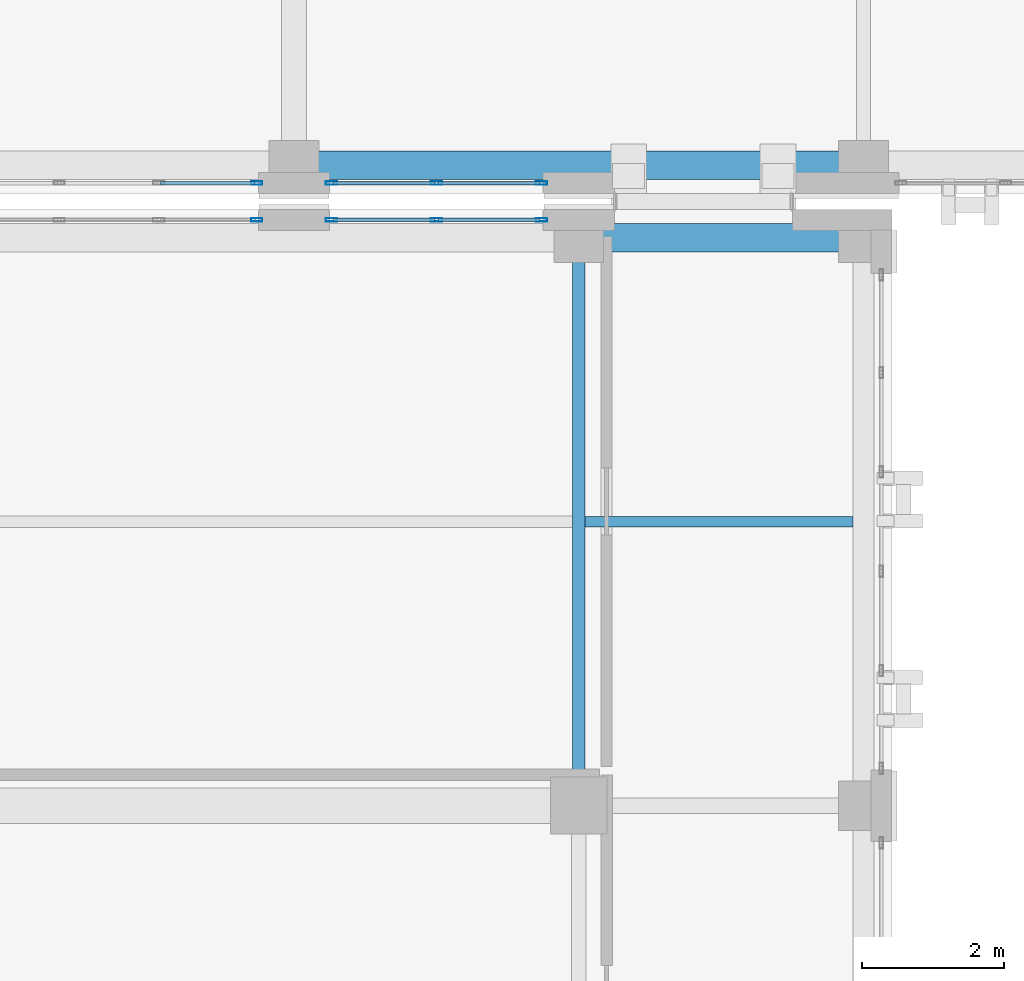
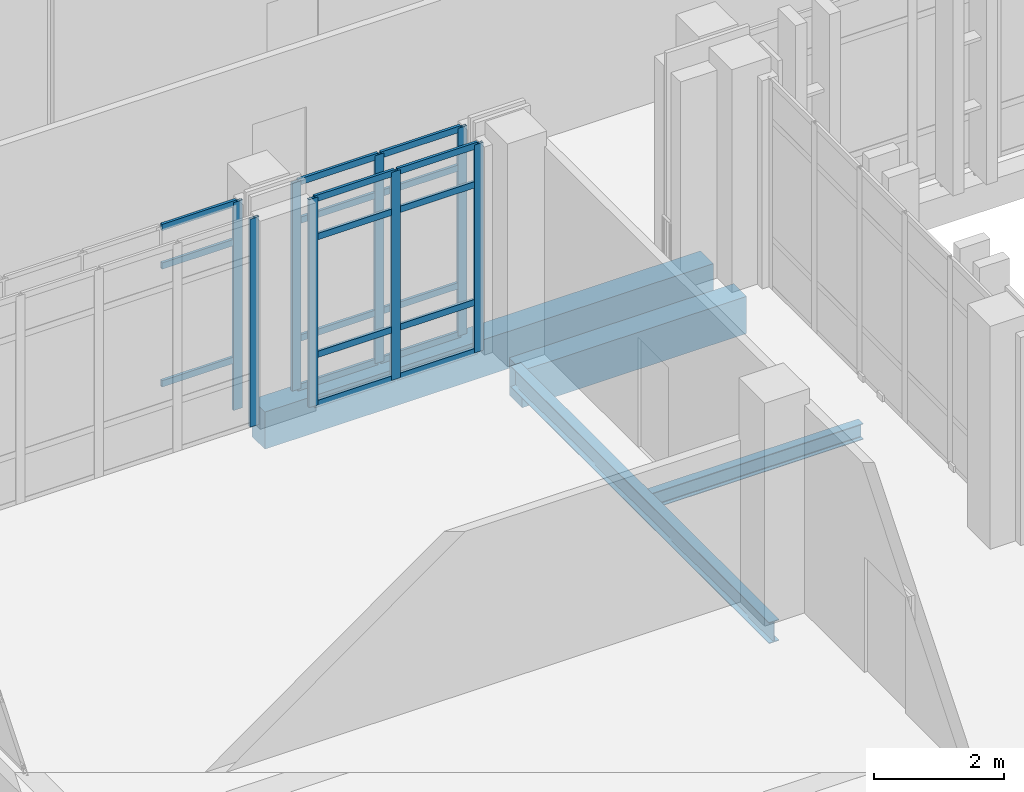
# One storey, part 78 of 165: 27 members, 4 beams, 4 elements without a shape of their own.
"""IFC4 building model written with IfcOpenShell, lengths in metres."""

from ifc_helpers import new_model, si_unit, direction, frame, origin, origin_2d, place, context, subcontext, project, spatial, rectangle, hollow_rectangle, i_section, extrude, material, layer, layer_set, material_profile, profile_set, type_object, element, aggregate, save


model = new_model("IFC4")

# Units and contexts
model_context = context("Model", 3, precision=1e-05, world=origin(), true_north=direction((0.0, 1.0)))
body_context = subcontext(model_context, "Body", "Model", "MODEL_VIEW")
ifc_project = project(units=[si_unit("LENGTHUNIT", "METRE"), si_unit("AREAUNIT", "SQUARE_METRE"), si_unit("VOLUMEUNIT", "CUBIC_METRE"), si_unit("PLANEANGLEUNIT", "RADIAN"), si_unit("MASSUNIT", "GRAM", prefix="KILO")], contexts=[model_context])

# Site, building, storey
site_placement = place(None, origin())
site = spatial("IfcSite", under=ifc_project, at=site_placement, CompositionType="ELEMENT")
building_placement = place(site_placement, origin())
building = spatial("IfcBuilding", under=site, at=building_placement, Name="Qalavern Law Courts", CompositionType="ELEMENT")
storey_placement = place(building_placement, frame((0.0, 0.0, 14.39990234375)))
storey = spatial("IfcBuildingStorey", under=building, at=storey_placement, Name="L03", CompositionType="ELEMENT", Elevation=14.39990234375)

# Curtain wall, members
ifc_material_1 = material(Name="Anodised aluminium and insulated glazing", Category="aluminium")
ifc_layer_1 = layer(ifc_material_1, 0.172119140625)
ifc_layer_set_1 = layer_set([ifc_layer_1], Name="Anodised aluminium and insulated glazing")
curtain_wall_type_1 = type_object("IfcCurtainWallType", Name="ENV-CW-COURT", PredefinedType="USERDEFINED", material=ifc_layer_set_1)
curtain_wall_1_placement = place(storey_placement, origin())
curtain_wall_1 = element("IfcCurtainWall", 1, at=curtain_wall_1_placement, inside=storey, type_object=curtain_wall_type_1, Name="V3 unitised curtain wall L03 north 1", ObjectType="UNITISED CURTAIN WALL", PredefinedType="USERDEFINED")
ifc_material_2 = material(Name="Anodised aluminium", Category="aluminium")
ifc_material_profile_1 = material_profile(ifc_material_2, hollow_rectangle(XDim=0.048095703125, YDim=0.159912109375, WallThickness=0.00390625, at=origin_2d()), Name="ALU MULLION 48x160")
ifc_profile_set_1 = profile_set([ifc_material_profile_1], Name="Anodised aluminium")
member_type_1 = type_object("IfcMemberType", Name="ENV-CWM-48x160", PredefinedType="MULLION", material=ifc_profile_set_1)
member_1_placement = place(storey_placement, frame((13.8759765625, 95.83251953125, 0.0), z_axis=(0.0, 0.0, 1.0), x_axis=(0.0, -1.0, 0.0)))
member_1 = element("IfcMember", 2, at=member_1_placement, type_object=member_type_1, Name="CW-03 mullion 1", PredefinedType="MULLION", context=body_context, shape_type="SweptSolid", body=[
    extrude(hollow_rectangle(XDim=0.048095703125, YDim=0.159912109375, WallThickness=0.00390625, at=origin_2d()), origin(), (0.0, 0.0, 1.0), 3.920166015625),
])
member_2_placement = place(storey_placement, frame((12.39990234375, 95.83251953125, 0.0), z_axis=(0.0, 0.0, 1.0), x_axis=(0.0, -1.0, 0.0)))
member_2 = element("IfcMember", 3, at=member_2_placement, type_object=member_type_1, Name="CW-03 mullion 2", PredefinedType="MULLION", context=body_context, shape_type="SweptSolid", body=[
    extrude(hollow_rectangle(XDim=0.048095703125, YDim=0.159912109375, WallThickness=0.00390625, at=origin_2d()), origin(), (0.0, 0.0, 1.0), 3.920166015625),
])
member_3_placement = place(storey_placement, frame((10.924072265625, 95.83251953125, 0.0), z_axis=(0.0, 0.0, 1.0), x_axis=(0.0, -1.0, 0.0)))
member_3 = element("IfcMember", 4, at=member_3_placement, type_object=member_type_1, Name="CW-03 mullion 3", PredefinedType="MULLION", context=body_context, shape_type="SweptSolid", body=[
    extrude(hollow_rectangle(XDim=0.048095703125, YDim=0.159912109375, WallThickness=0.00390625, at=origin_2d()), origin(), (0.0, 0.0, 1.0), 3.920166015625),
])

# Curtain wall, member
curtain_wall_2_placement = place(storey_placement, origin())
curtain_wall_2 = element("IfcCurtainWall", 5, at=curtain_wall_2_placement, inside=storey, type_object=curtain_wall_type_1, Name="V3 unitised curtain wall L03 north 2", ObjectType="UNITISED CURTAIN WALL", PredefinedType="USERDEFINED")
member_4_placement = place(storey_placement, frame((9.8759765625, 95.83251953125, 0.0), z_axis=(0.0, 0.0, 1.0), x_axis=(0.0, -1.0, 0.0)))
member_4 = element("IfcMember", 6, at=member_4_placement, type_object=member_type_1, Name="CW-03 mullion 1", PredefinedType="MULLION", context=body_context, shape_type="SweptSolid", body=[
    extrude(hollow_rectangle(XDim=0.048095703125, YDim=0.159912109375, WallThickness=0.00390625, at=origin_2d()), origin(), (0.0, 0.0, 1.0), 3.920166015625),
])
aggregate(curtain_wall_2, [member_4])

ifc_layer_2 = layer(ifc_material_1, 0.166015625)
ifc_layer_set_2 = layer_set([ifc_layer_2], Name="Anodised aluminium and insulated glazing")
curtain_wall_type_2 = type_object("IfcCurtainWallType", Name="ENV-CW-LIB", PredefinedType="USERDEFINED", material=ifc_layer_set_2)
curtain_wall_3_placement = place(storey_placement, origin())
curtain_wall_3 = element("IfcCurtainWall", 7, at=curtain_wall_3_placement, inside=storey, type_object=curtain_wall_type_2, Name="V5 unitised curtain wall L03 south 1", ObjectType="UNITISED CURTAIN WALL", PredefinedType="USERDEFINED")
member_5_placement = place(storey_placement, frame((9.8759765625, 96.347412109375, 0.0), z_axis=(0.0, 0.0, 1.0), x_axis=(0.0, 1.0, 0.0)))
member_5 = element("IfcMember", 8, at=member_5_placement, type_object=member_type_1, Name="CW-05 mullion 6", PredefinedType="MULLION", context=body_context, shape_type="SweptSolid", body=[
    extrude(hollow_rectangle(XDim=0.048095703125, YDim=0.159912109375, WallThickness=0.00390625, at=origin_2d()), origin(), (0.0, 0.0, 1.0), 3.920166015625),
])

# Curtain wall, members
curtain_wall_4_placement = place(storey_placement, origin())
curtain_wall_4 = element("IfcCurtainWall", 9, at=curtain_wall_4_placement, inside=storey, type_object=curtain_wall_type_2, Name="V5 unitised curtain wall L03 south 2", ObjectType="UNITISED CURTAIN WALL", PredefinedType="USERDEFINED")
member_6_placement = place(storey_placement, frame((10.924072265625, 96.347412109375, 0.0), z_axis=(0.0, 0.0, 1.0), x_axis=(0.0, 1.0, 0.0)))
member_6 = element("IfcMember", 10, at=member_6_placement, type_object=member_type_1, Name="CW-05 mullion 1", PredefinedType="MULLION", context=body_context, shape_type="SweptSolid", body=[
    extrude(hollow_rectangle(XDim=0.048095703125, YDim=0.159912109375, WallThickness=0.00390625, at=origin_2d()), origin(), (0.0, 0.0, 1.0), 3.920166015625),
])
member_7_placement = place(storey_placement, frame((12.39990234375, 96.347412109375, 0.0), z_axis=(0.0, 0.0, 1.0), x_axis=(0.0, 1.0, 0.0)))
member_7 = element("IfcMember", 11, at=member_7_placement, type_object=member_type_1, Name="CW-05 mullion 2", PredefinedType="MULLION", context=body_context, shape_type="SweptSolid", body=[
    extrude(hollow_rectangle(XDim=0.048095703125, YDim=0.159912109375, WallThickness=0.00390625, at=origin_2d()), origin(), (0.0, 0.0, 1.0), 3.920166015625),
])
member_8_placement = place(storey_placement, frame((13.8759765625, 96.347412109375, 0.0), z_axis=(0.0, 0.0, 1.0), x_axis=(0.0, 1.0, 0.0)))
member_8 = element("IfcMember", 12, at=member_8_placement, type_object=member_type_1, Name="CW-05 mullion 3", PredefinedType="MULLION", context=body_context, shape_type="SweptSolid", body=[
    extrude(hollow_rectangle(XDim=0.048095703125, YDim=0.159912109375, WallThickness=0.00390625, at=origin_2d()), origin(), (0.0, 0.0, 1.0), 3.920166015625),
])

# Member
ifc_material_profile_2 = material_profile(ifc_material_2, hollow_rectangle(XDim=0.048095703125, YDim=0.1201171875, WallThickness=0.00390625, at=origin_2d()), Name="ALU TRANSOM 48x120")
ifc_profile_set_2 = profile_set([ifc_material_profile_2], Name="Anodised aluminium")
member_type_2 = type_object("IfcMemberType", Name="ENV-CWT-48x120", PredefinedType="USERDEFINED", material=ifc_profile_set_2)
member_9_placement = place(storey_placement, frame((13.85205078125, 95.83251953125, 0.024169921875), z_axis=(-1.0, 0.0, 0.0), x_axis=(0.0, -1.0, 0.0)))
member_9 = element("IfcMember", 13, at=member_9_placement, type_object=member_type_2, Name="CW-03 transom 1.1", ObjectType="TRANSOM", PredefinedType="USERDEFINED", context=body_context, shape_type="SweptSolid", body=[
    extrude(hollow_rectangle(XDim=0.048095703125, YDim=0.1201171875, WallThickness=0.00390625, at=origin_2d()), origin(), (0.0, 0.0, 1.0), 1.427978515625),
])

member_10_placement = place(storey_placement, frame((13.85205078125, 95.83251953125, 0.9501953125), z_axis=(-1.0, 0.0, 0.0), x_axis=(0.0, -1.0, 0.0)))
member_10 = element("IfcMember", 14, at=member_10_placement, type_object=member_type_2, Name="CW-03 transom 1.2", ObjectType="TRANSOM", PredefinedType="USERDEFINED", context=body_context, shape_type="SweptSolid", body=[
    extrude(hollow_rectangle(XDim=0.048095703125, YDim=0.1201171875, WallThickness=0.00390625, at=origin_2d()), origin(), (0.0, 0.0, 1.0), 1.427978515625),
])

member_11_placement = place(storey_placement, frame((13.85205078125, 95.83251953125, 3.170166015625), z_axis=(-1.0, 0.0, 0.0), x_axis=(0.0, -1.0, 0.0)))
member_11 = element("IfcMember", 15, at=member_11_placement, type_object=member_type_2, Name="CW-03 transom 1.3", ObjectType="TRANSOM", PredefinedType="USERDEFINED", context=body_context, shape_type="SweptSolid", body=[
    extrude(hollow_rectangle(XDim=0.048095703125, YDim=0.1201171875, WallThickness=0.00390625, at=origin_2d()), origin(), (0.0, 0.0, 1.0), 1.427978515625),
])

member_12_placement = place(storey_placement, frame((13.85205078125, 95.83251953125, 3.89599609375), z_axis=(-1.0, 0.0, 0.0), x_axis=(0.0, -1.0, 0.0)))
member_12 = element("IfcMember", 16, at=member_12_placement, type_object=member_type_2, Name="CW-03 transom 1.4", ObjectType="TRANSOM", PredefinedType="USERDEFINED", context=body_context, shape_type="SweptSolid", body=[
    extrude(hollow_rectangle(XDim=0.048095703125, YDim=0.1201171875, WallThickness=0.00390625, at=origin_2d()), origin(), (0.0, 0.0, 1.0), 1.427978515625),
])

member_13_placement = place(storey_placement, frame((12.3759765625, 95.83251953125, 0.024169921875), z_axis=(-1.0, 0.0, 0.0), x_axis=(0.0, -1.0, 0.0)))
member_13 = element("IfcMember", 17, at=member_13_placement, type_object=member_type_2, Name="CW-03 transom 2.1", ObjectType="TRANSOM", PredefinedType="USERDEFINED", context=body_context, shape_type="SweptSolid", body=[
    extrude(hollow_rectangle(XDim=0.048095703125, YDim=0.1201171875, WallThickness=0.00390625, at=origin_2d()), origin(), (0.0, 0.0, 1.0), 1.427978515625),
])

member_14_placement = place(storey_placement, frame((12.3759765625, 95.83251953125, 0.9501953125), z_axis=(-1.0, 0.0, 0.0), x_axis=(0.0, -1.0, 0.0)))
member_14 = element("IfcMember", 18, at=member_14_placement, type_object=member_type_2, Name="CW-03 transom 2.2", ObjectType="TRANSOM", PredefinedType="USERDEFINED", context=body_context, shape_type="SweptSolid", body=[
    extrude(hollow_rectangle(XDim=0.048095703125, YDim=0.1201171875, WallThickness=0.00390625, at=origin_2d()), origin(), (0.0, 0.0, 1.0), 1.427978515625),
])

member_15_placement = place(storey_placement, frame((12.3759765625, 95.83251953125, 3.170166015625), z_axis=(-1.0, 0.0, 0.0), x_axis=(0.0, -1.0, 0.0)))
member_15 = element("IfcMember", 19, at=member_15_placement, type_object=member_type_2, Name="CW-03 transom 2.3", ObjectType="TRANSOM", PredefinedType="USERDEFINED", context=body_context, shape_type="SweptSolid", body=[
    extrude(hollow_rectangle(XDim=0.048095703125, YDim=0.1201171875, WallThickness=0.00390625, at=origin_2d()), origin(), (0.0, 0.0, 1.0), 1.427978515625),
])

member_16_placement = place(storey_placement, frame((12.3759765625, 95.83251953125, 3.89599609375), z_axis=(-1.0, 0.0, 0.0), x_axis=(0.0, -1.0, 0.0)))
member_16 = element("IfcMember", 20, at=member_16_placement, type_object=member_type_2, Name="CW-03 transom 2.4", ObjectType="TRANSOM", PredefinedType="USERDEFINED", context=body_context, shape_type="SweptSolid", body=[
    extrude(hollow_rectangle(XDim=0.048095703125, YDim=0.1201171875, WallThickness=0.00390625, at=origin_2d()), origin(), (0.0, 0.0, 1.0), 1.427978515625),
])

aggregate(curtain_wall_1, [member_1, member_2, member_3, member_9, member_10, member_11, member_12, member_13, member_14, member_15, member_16])

member_17_placement = place(storey_placement, frame((8.52392578125, 96.347412109375, 0.9501953125), z_axis=(1.0, 0.0, 0.0), x_axis=(0.0, 1.0, 0.0)))
member_17 = element("IfcMember", 21, at=member_17_placement, type_object=member_type_2, Name="CW-05 transom 5.2", ObjectType="TRANSOM", PredefinedType="USERDEFINED", context=body_context, shape_type="SweptSolid", body=[
    extrude(hollow_rectangle(XDim=0.048095703125, YDim=0.1201171875, WallThickness=0.00390625, at=origin_2d()), origin(), (0.0, 0.0, 1.0), 1.328125),
])

member_18_placement = place(storey_placement, frame((8.52392578125, 96.347412109375, 3.170166015625), z_axis=(1.0, 0.0, 0.0), x_axis=(0.0, 1.0, 0.0)))
member_18 = element("IfcMember", 22, at=member_18_placement, type_object=member_type_2, Name="CW-05 transom 5.3", ObjectType="TRANSOM", PredefinedType="USERDEFINED", context=body_context, shape_type="SweptSolid", body=[
    extrude(hollow_rectangle(XDim=0.048095703125, YDim=0.1201171875, WallThickness=0.00390625, at=origin_2d()), origin(), (0.0, 0.0, 1.0), 1.328125),
])

member_19_placement = place(storey_placement, frame((8.52392578125, 96.347412109375, 3.89599609375), z_axis=(1.0, 0.0, 0.0), x_axis=(0.0, 1.0, 0.0)))
member_19 = element("IfcMember", 23, at=member_19_placement, type_object=member_type_2, Name="CW-05 transom 5.4", ObjectType="TRANSOM", PredefinedType="USERDEFINED", context=body_context, shape_type="SweptSolid", body=[
    extrude(hollow_rectangle(XDim=0.048095703125, YDim=0.1201171875, WallThickness=0.00390625, at=origin_2d()), origin(), (0.0, 0.0, 1.0), 1.328125),
])

aggregate(curtain_wall_3, [member_5, member_17, member_18, member_19])

member_20_placement = place(storey_placement, frame((10.947998046875, 96.347412109375, 0.024169921875), z_axis=(1.0, 0.0, 0.0), x_axis=(0.0, 1.0, 0.0)))
member_20 = element("IfcMember", 24, at=member_20_placement, type_object=member_type_2, Name="CW-05 transom 1.1", ObjectType="TRANSOM", PredefinedType="USERDEFINED", context=body_context, shape_type="SweptSolid", body=[
    extrude(hollow_rectangle(XDim=0.048095703125, YDim=0.1201171875, WallThickness=0.00390625, at=origin_2d()), origin(), (0.0, 0.0, 1.0), 1.427978515625),
])

member_21_placement = place(storey_placement, frame((10.947998046875, 96.347412109375, 0.9501953125), z_axis=(1.0, 0.0, 0.0), x_axis=(0.0, 1.0, 0.0)))
member_21 = element("IfcMember", 25, at=member_21_placement, type_object=member_type_2, Name="CW-05 transom 1.2", ObjectType="TRANSOM", PredefinedType="USERDEFINED", context=body_context, shape_type="SweptSolid", body=[
    extrude(hollow_rectangle(XDim=0.048095703125, YDim=0.1201171875, WallThickness=0.00390625, at=origin_2d()), origin(), (0.0, 0.0, 1.0), 1.427978515625),
])

member_22_placement = place(storey_placement, frame((10.947998046875, 96.347412109375, 3.170166015625), z_axis=(1.0, 0.0, 0.0), x_axis=(0.0, 1.0, 0.0)))
member_22 = element("IfcMember", 26, at=member_22_placement, type_object=member_type_2, Name="CW-05 transom 1.3", ObjectType="TRANSOM", PredefinedType="USERDEFINED", context=body_context, shape_type="SweptSolid", body=[
    extrude(hollow_rectangle(XDim=0.048095703125, YDim=0.1201171875, WallThickness=0.00390625, at=origin_2d()), origin(), (0.0, 0.0, 1.0), 1.427978515625),
])

member_23_placement = place(storey_placement, frame((10.947998046875, 96.347412109375, 3.89599609375), z_axis=(1.0, 0.0, 0.0), x_axis=(0.0, 1.0, 0.0)))
member_23 = element("IfcMember", 27, at=member_23_placement, type_object=member_type_2, Name="CW-05 transom 1.4", ObjectType="TRANSOM", PredefinedType="USERDEFINED", context=body_context, shape_type="SweptSolid", body=[
    extrude(hollow_rectangle(XDim=0.048095703125, YDim=0.1201171875, WallThickness=0.00390625, at=origin_2d()), origin(), (0.0, 0.0, 1.0), 1.427978515625),
])

member_24_placement = place(storey_placement, frame((12.424072265625, 96.347412109375, 0.024169921875), z_axis=(1.0, 0.0, 0.0), x_axis=(0.0, 1.0, 0.0)))
member_24 = element("IfcMember", 28, at=member_24_placement, type_object=member_type_2, Name="CW-05 transom 2.1", ObjectType="TRANSOM", PredefinedType="USERDEFINED", context=body_context, shape_type="SweptSolid", body=[
    extrude(hollow_rectangle(XDim=0.048095703125, YDim=0.1201171875, WallThickness=0.00390625, at=origin_2d()), origin(), (0.0, 0.0, 1.0), 1.427978515625),
])

member_25_placement = place(storey_placement, frame((12.424072265625, 96.347412109375, 0.9501953125), z_axis=(1.0, 0.0, 0.0), x_axis=(0.0, 1.0, 0.0)))
member_25 = element("IfcMember", 29, at=member_25_placement, type_object=member_type_2, Name="CW-05 transom 2.2", ObjectType="TRANSOM", PredefinedType="USERDEFINED", context=body_context, shape_type="SweptSolid", body=[
    extrude(hollow_rectangle(XDim=0.048095703125, YDim=0.1201171875, WallThickness=0.00390625, at=origin_2d()), origin(), (0.0, 0.0, 1.0), 1.427978515625),
])

member_26_placement = place(storey_placement, frame((12.424072265625, 96.347412109375, 3.170166015625), z_axis=(1.0, 0.0, 0.0), x_axis=(0.0, 1.0, 0.0)))
member_26 = element("IfcMember", 30, at=member_26_placement, type_object=member_type_2, Name="CW-05 transom 2.3", ObjectType="TRANSOM", PredefinedType="USERDEFINED", context=body_context, shape_type="SweptSolid", body=[
    extrude(hollow_rectangle(XDim=0.048095703125, YDim=0.1201171875, WallThickness=0.00390625, at=origin_2d()), origin(), (0.0, 0.0, 1.0), 1.427978515625),
])

member_27_placement = place(storey_placement, frame((12.424072265625, 96.347412109375, 3.89599609375), z_axis=(1.0, 0.0, 0.0), x_axis=(0.0, 1.0, 0.0)))
member_27 = element("IfcMember", 31, at=member_27_placement, type_object=member_type_2, Name="CW-05 transom 2.4", ObjectType="TRANSOM", PredefinedType="USERDEFINED", context=body_context, shape_type="SweptSolid", body=[
    extrude(hollow_rectangle(XDim=0.048095703125, YDim=0.1201171875, WallThickness=0.00390625, at=origin_2d()), origin(), (0.0, 0.0, 1.0), 1.427978515625),
])

aggregate(curtain_wall_4, [member_6, member_7, member_8, member_20, member_21, member_22, member_23, member_24, member_25, member_26, member_27])

# Beams
ifc_material_3 = material(Name="Steel S355", Category="steel")
ifc_material_profile_3 = material_profile(ifc_material_3, i_section(OverallWidth=0.179931640625, OverallDepth=0.39990234375, WebThickness=0.008544921875, FlangeThickness=0.013427734375, FilletRadius=0.02099609375, at=origin_2d()), Name="IPE 400")
ifc_profile_set_3 = profile_set([ifc_material_profile_3], Name="Steel S355")
beam_type_1 = type_object("IfcBeamType", Name="STR-BM-IPE400", PredefinedType="BEAM", material=ifc_profile_set_3)
beam_1_placement = place(storey_placement, frame((14.39990234375, 87.60009765625, -0.48486328125), z_axis=(0.0, 1.0, 0.0), x_axis=(-1.0, 0.0, 0.0)))
element("IfcBeam", 32, at=beam_1_placement, inside=storey, type_object=beam_type_1, Name="V3 Y-beam 2-7 L03", PredefinedType="BEAM", context=body_context, shape_type="SweptSolid", body=[
    extrude(i_section(OverallWidth=0.179931640625, OverallDepth=0.39990234375, WebThickness=0.008544921875, FlangeThickness=0.013427734375, FilletRadius=0.02099609375, at=origin_2d()), origin(), (0.0, 0.0, 1.0), 7.97998046875),
])
ifc_material_profile_4 = material_profile(ifc_material_3, i_section(OverallWidth=0.14990234375, OverallDepth=0.300048828125, WebThickness=0.007080078125, FlangeThickness=0.0107421875, FilletRadius=0.014892578125, at=origin_2d()), Name="IPE 300")
ifc_profile_set_4 = profile_set([ifc_material_profile_4], Name="Steel S355")
beam_type_2 = type_object("IfcBeamType", Name="STR-JST-IPE300", PredefinedType="JOIST", material=ifc_profile_set_4)
beam_2_placement = place(storey_placement, frame((14.488037109375, 91.590087890625, -0.434814453125), z_axis=(1.0, 0.0, 0.0), x_axis=(0.0, 1.0, 0.0)))
element("IfcBeam", 33, at=beam_2_placement, inside=storey, type_object=beam_type_2, Name="V3 secondary joist 2.7.1 L03", PredefinedType="JOIST", context=body_context, shape_type="SweptSolid", body=[
    extrude(i_section(OverallWidth=0.14990234375, OverallDepth=0.300048828125, WebThickness=0.007080078125, FlangeThickness=0.0107421875, FilletRadius=0.014892578125, at=origin_2d()), origin(), (0.0, 0.0, 1.0), 3.763916015625),
])
ifc_material_4 = material(Name="Concrete C40/50", Category="concrete")
ifc_material_profile_5 = material_profile(ifc_material_4, rectangle(XDim=0.39990234375, YDim=0.699951171875, at=origin_2d()), Name="RC 400x700")
ifc_profile_set_5 = profile_set([ifc_material_profile_5], Name="Concrete C40/50")
beam_type_3 = type_object("IfcBeamType", Name="STR-SP-RC400x700", PredefinedType="SPANDREL", material=ifc_profile_set_5)
beam_3_placement = place(storey_placement, frame((14.39990234375, 95.580078125, -0.635009765625), z_axis=(1.0, 0.0, 0.0), x_axis=(0.0, 1.0, 0.0)))
element("IfcBeam", 34, at=beam_3_placement, inside=storey, type_object=beam_type_3, Name="V3 X-beam 8-2 L03", PredefinedType="SPANDREL", context=body_context, shape_type="SweptSolid", body=[
    extrude(rectangle(XDim=0.39990234375, YDim=0.699951171875, at=origin_2d()), origin(), (0.0, 0.0, 1.0), 4.0),
])
beam_4_placement = place(storey_placement, frame((10.39990234375, 96.60009765625, -0.635009765625), z_axis=(1.0, 0.0, 0.0), x_axis=(0.0, 1.0, 0.0)))
element("IfcBeam", 35, at=beam_4_placement, inside=storey, type_object=beam_type_3, Name="V5 X-beam 1-2 L03", PredefinedType="SPANDREL", context=body_context, shape_type="SweptSolid", body=[
    extrude(rectangle(XDim=0.39990234375, YDim=0.699951171875, at=origin_2d()), origin(), (0.0, 0.0, 1.0), 8.0),
])

save(model, "model.ifc")
